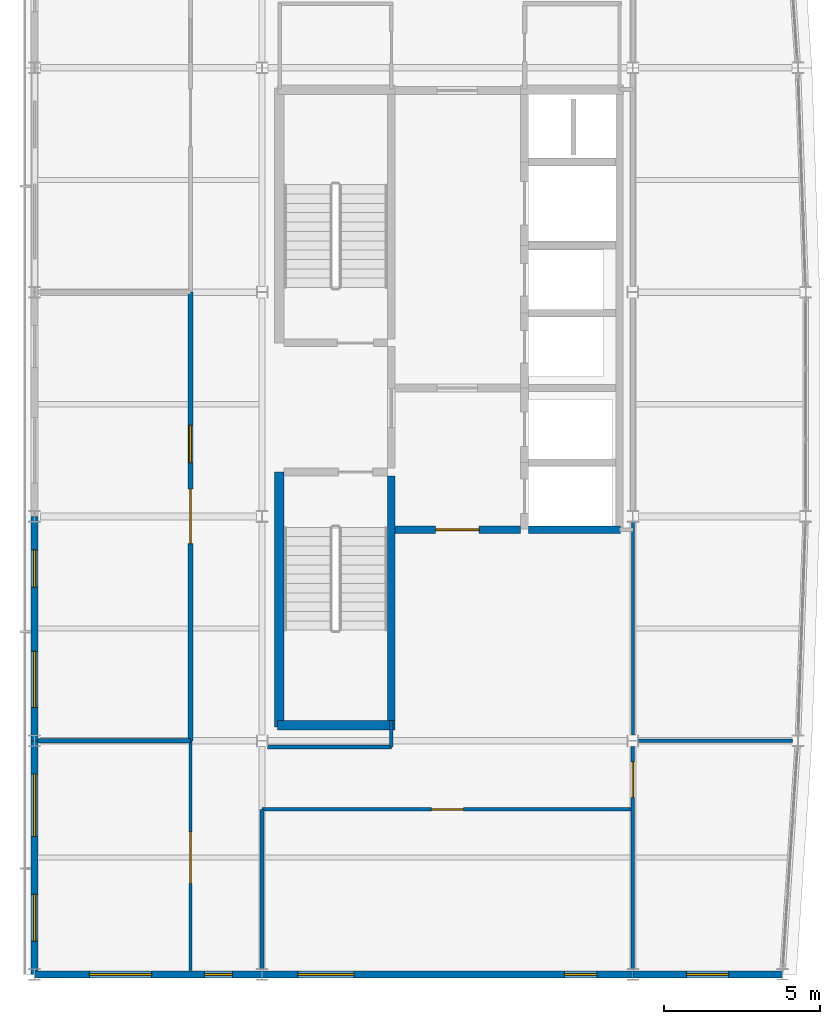
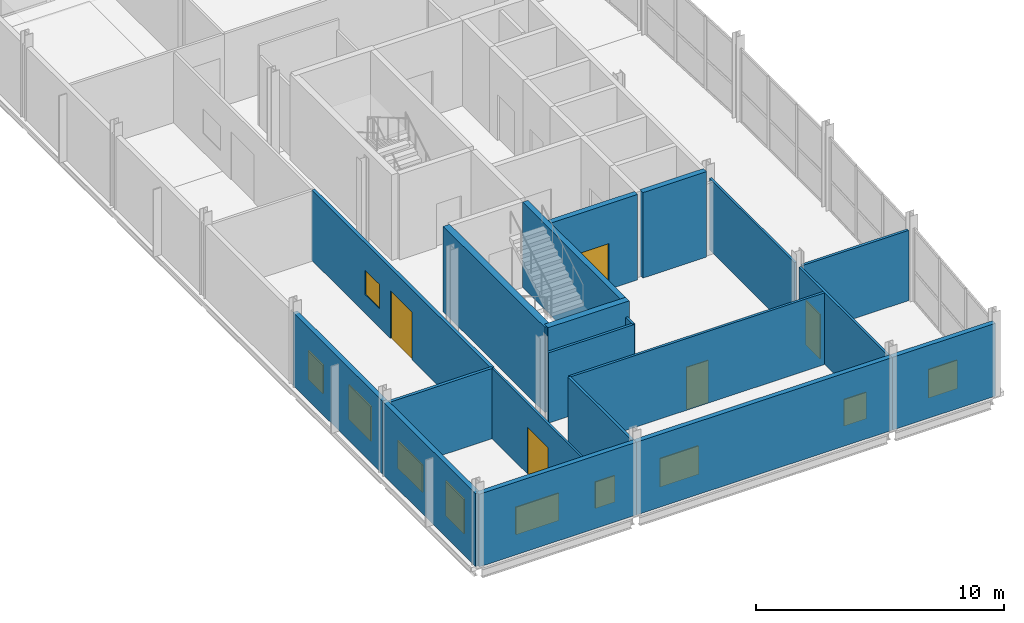
# One storey, part 11 of 17: 20 walls, 10 windows, 5 doors, 15 openings.
"""IFC4 building model written with IfcOpenShell, lengths in metres."""

from ifc_helpers import new_model, si_unit, direction, frame, frame_2d, origin, place, context, subcontext, project, spatial, rectangle, extrude, material, layer, layer_set, type_object, element, fill, save


model = new_model("IFC4")

# Units and contexts
model_context = context("Model", 3, precision=1e-05, world=origin(), true_north=direction((0.0, 1.0)))
body_context = subcontext(model_context, "Body", "Model", "MODEL_VIEW")
ifc_project = project(units=[si_unit("LENGTHUNIT", "METRE"), si_unit("AREAUNIT", "SQUARE_METRE"), si_unit("VOLUMEUNIT", "CUBIC_METRE"), si_unit("PLANEANGLEUNIT", "RADIAN"), si_unit("MASSUNIT", "GRAM", prefix="KILO")], contexts=[model_context])

# Site, building, storey
site_placement = place(None, origin())
site = spatial("IfcSite", under=ifc_project, at=site_placement, CompositionType="ELEMENT")
building_placement = place(site_placement, origin())
building = spatial("IfcBuilding", under=site, at=building_placement, Name="Quillay Park Conservatory", CompositionType="ELEMENT")
storey_placement = place(building_placement, frame((0.0, 0.0, 51.89990234375)))
storey = spatial("IfcBuildingStorey", under=building, at=storey_placement, Name="L12", CompositionType="ELEMENT", Elevation=51.89990234375)

# Wall, opening, door
ifc_material_1 = material(Name="Steel-Stud Acoustic Gypsum Board Partition", Category="steel")
ifc_layer_1 = layer(ifc_material_1, 0.10009765625)
ifc_layer_set_1 = layer_set([ifc_layer_1], Name="ACOUSTIC GYPSUM PARTITION 100 (Steel-Stud Acoustic Gypsum Board Partition)")
wall_type_1 = type_object("IfcWallType", Name="ACOUSTIC GYPSUM PARTITION 100", PredefinedType="PARTITIONING", material=ifc_layer_set_1)
wall_1_placement = place(storey_placement, frame((5.550048828125, 70.625, 0.0), z_axis=(0.0, 0.0, 1.0), x_axis=(0.0, 1.0, 0.0)))
wall_1 = element("IfcWall", 1, at=wall_1_placement, inside=storey, type_object=wall_type_1, Name="L12 L12 Senior Botanical Curatorial Workspace Corridor Wall", PredefinedType="PARTITIONING", context=body_context, shape_type="SweptSolid", body=[
    extrude(rectangle(XDim=7.375, YDim=0.10009765625, at=frame_2d((3.6875, 0.0))), origin(), (0.0, 0.0, 1.0), 3.451171875),
])
opening_1_placement = place(wall_1_placement, frame((2.800048828125, 0.0, 0.0)))
opening_1 = element("IfcOpeningElement", 2, at=opening_1_placement, cuts=wall_1, Name="Opening D-RM27", PredefinedType="OPENING", context=body_context, shape_type="SweptSolid", body=[
    extrude(rectangle(XDim=1.64990234375, YDim=2.300048828125, at=frame_2d((0.824951171875, 1.14990234375))), frame((0.0, 0.050048828125, 0.0), z_axis=(0.0, -1.0, 0.0), x_axis=(1.0, 0.0, 0.0)), (0.0, 0.0, 1.0), 0.10009765625),
])
ifc_material_2 = material(Name="Thermally Broken Anodised Aluminium 6063-T6", Category="aluminium")
door_type_1 = type_object("IfcDoorType", Name="SINGLE SWING DOOR 1650 X2300", OperationType="NOTDEFINED", PredefinedType="DOOR", material=ifc_material_2)
door_1_placement = place(opening_1_placement, origin())
door_1 = element("IfcDoor", 3, at=door_1_placement, inside=storey, type_object=door_type_1, Name="L12 Door to L12 Senior Botanical Curatorial Workspace", OperationType="SINGLE_SWING_LEFT", OverallHeight=2.300048828125, OverallWidth=1.64990234375, PredefinedType="DOOR", context=body_context, shape_type="SweptSolid", body=[
    extrude(rectangle(XDim=1.64990234375, YDim=2.300048828125, at=frame_2d((0.824951171875, 1.14990234375))), frame((0.0, 0.02490234375, 0.0), z_axis=(0.0, -1.0, 0.0), x_axis=(1.0, 0.0, 0.0)), (0.0, 0.0, 1.0), 0.050048828125),
])
fill(opening_1, door_1)

# Wall
wall_2_placement = place(storey_placement, frame((19.75, 78.179443359375, 0.0), z_axis=(0.0, 0.0, 1.0), x_axis=(0.0, 1.0, 0.0)))
element("IfcWall", 4, at=wall_2_placement, inside=storey, type_object=wall_type_1, Name="L12 L12 Remote Sensing Phenology Laboratory West Wall 1", PredefinedType="PARTITIONING", context=body_context, shape_type="SweptSolid", body=[
    extrude(rectangle(XDim=6.84765625, YDim=0.10009765625, at=frame_2d((3.423828125, 0.0))), origin(), (0.0, 0.0, 1.0), 3.527099609375),
])

# Wall, opening, door
ifc_material_3 = material(Name="Steel-Stud Acoustic Gypsum Board Partition", Category="steel")
ifc_layer_2 = layer(ifc_material_3, 0.110107421875)
ifc_layer_set_2 = layer_set([ifc_layer_2], Name="ACOUSTIC GYPSUM PARTITION 110 (Steel-Stud Acoustic Gypsum Board Partition)")
wall_type_2 = type_object("IfcWallType", Name="ACOUSTIC GYPSUM PARTITION 110", PredefinedType="PARTITIONING", material=ifc_layer_set_2)
wall_3_placement = place(storey_placement, frame((19.75, 70.673095703125, 0.0), z_axis=(0.0, 0.0, 1.0), x_axis=(0.0, 1.0, 0.0)))
wall_3 = element("IfcWall", 5, at=wall_3_placement, inside=storey, type_object=wall_type_2, Name="L12 L12 Island Endemism Conservation Studio West Door Wall", PredefinedType="PARTITIONING", context=body_context, shape_type="SweptSolid", body=[
    extrude(rectangle(XDim=7.1474609375, YDim=0.110107421875, at=frame_2d((3.57373046875, 0.0))), origin(), (0.0, 0.0, 1.0), 3.527099609375),
])
opening_2_placement = place(wall_3_placement, frame((5.507080078125, 0.0, 0.0)))
opening_2 = element("IfcOpeningElement", 6, at=opening_2_placement, cuts=wall_3, Name="Opening D-RM34", PredefinedType="OPENING", context=body_context, shape_type="SweptSolid", body=[
    extrude(rectangle(XDim=1.139892578125, YDim=2.179931640625, at=frame_2d((0.56982421875, 1.08984375))), frame((0.0, 0.05517578125, 0.0), z_axis=(0.0, -1.0, 0.0), x_axis=(1.0, 0.0, 0.0)), (0.0, 0.0, 1.0), 0.110107421875),
])
ifc_material_4 = material(Name="Thermally Broken Anodised Aluminium 6063-T6", Category="aluminium")
door_type_2 = type_object("IfcDoorType", Name="SINGLE SWING DOOR 1140 X2180", OperationType="NOTDEFINED", PredefinedType="DOOR", material=ifc_material_4)
door_2_placement = place(opening_2_placement, origin())
door_2 = element("IfcDoor", 7, at=door_2_placement, inside=storey, type_object=door_type_2, Name="L12 Door to L12 Island Endemism Conservation Studio", OperationType="SINGLE_SWING_RIGHT", OverallHeight=2.179931640625, OverallWidth=1.139892578125, PredefinedType="DOOR", context=body_context, shape_type="SweptSolid", body=[
    extrude(rectangle(XDim=1.139892578125, YDim=2.179931640625, at=frame_2d((0.56982421875, 1.08984375))), frame((0.0, 0.02490234375, 0.0), z_axis=(0.0, -1.0, 0.0), x_axis=(1.0, 0.0, 0.0)), (0.0, 0.0, 1.0), 0.050048828125),
])
fill(opening_2, door_2)

# Wall
ifc_material_5 = material(Name="Steel-Stud Acoustic Gypsum Board Partition", Category="steel")
ifc_layer_3 = layer(ifc_material_5, 0.114990234375)
ifc_layer_set_3 = layer_set([ifc_layer_3], Name="ACOUSTIC GYPSUM PARTITION 115 (Steel-Stud Acoustic Gypsum Board Partition)")
wall_type_3 = type_object("IfcWallType", Name="ACOUSTIC GYPSUM PARTITION 115", PredefinedType="PARTITIONING", material=ifc_layer_set_3)
wall_4_placement = place(storey_placement, frame((12.0, 77.800048828125, 0.0), z_axis=(0.0, 0.0, 1.0), x_axis=(0.0, 1.0, 0.0)))
element("IfcWall", 8, at=wall_4_placement, inside=storey, type_object=wall_type_3, Name="L12 Core South Vestibule West Wall", PredefinedType="PARTITIONING", context=body_context, shape_type="SweptSolid", body=[
    extrude(rectangle(XDim=0.849853515625, YDim=0.114990234375, at=frame_2d((0.4248046875, 0.0))), origin(), (0.0, 0.0, 1.0), 3.451171875),
])

# Wall, opening, door
wall_5_placement = place(storey_placement, frame((7.85009765625, 75.800048828125, 0.0), z_axis=(0.0, 0.0, 1.0), x_axis=(1.0, 0.0, 0.0)))
wall_5 = element("IfcWall", 9, at=wall_5_placement, inside=storey, type_object=wall_type_3, Name="L12 L12 Red-List Biodiversity Assessment Studio North Door Wall", PredefinedType="PARTITIONING", context=body_context, shape_type="SweptSolid", body=[
    extrude(rectangle(XDim=11.89990234375, YDim=0.114990234375, at=frame_2d((5.949951171875, 0.0))), origin(), (0.0, 0.0, 1.0), 3.527099609375),
])
opening_3_placement = place(wall_5_placement, frame((5.43994140625, 0.0, 0.0)))
opening_3 = element("IfcOpeningElement", 10, at=opening_3_placement, cuts=wall_5, Name="Opening D-RM33", PredefinedType="OPENING", context=body_context, shape_type="SweptSolid", body=[
    extrude(rectangle(XDim=1.02001953125, YDim=2.080078125, at=frame_2d((0.510009765625, 1.0400390625))), frame((0.0, 0.0576171875, 0.0), z_axis=(0.0, -1.0, 0.0), x_axis=(1.0, 0.0, 0.0)), (0.0, 0.0, 1.0), 0.114990234375),
])
ifc_material_6 = material(Name="Thermally Broken Anodised Aluminium 6063-T6", Category="aluminium")
door_type_3 = type_object("IfcDoorType", Name="SINGLE SWING DOOR 1020 X2080", OperationType="NOTDEFINED", PredefinedType="DOOR", material=ifc_material_6)
door_3_placement = place(opening_3_placement, origin())
door_3 = element("IfcDoor", 11, at=door_3_placement, inside=storey, type_object=door_type_3, Name="L12 Door to L12 Red-List Biodiversity Assessment Studio", OperationType="SINGLE_SWING_LEFT", OverallHeight=2.080078125, OverallWidth=1.02001953125, PredefinedType="DOOR", context=body_context, shape_type="SweptSolid", body=[
    extrude(rectangle(XDim=1.02001953125, YDim=2.080078125, at=frame_2d((0.510009765625, 1.0400390625))), frame((0.0, 0.02490234375, 0.0), z_axis=(0.0, -1.0, 0.0), x_axis=(1.0, 0.0, 0.0)), (0.0, 0.0, 1.0), 0.050048828125),
])
fill(opening_3, door_3)

# Walls
ifc_material_7 = material(Name="Steel-Stud Acoustic Gypsum Board Partition", Category="steel")
ifc_layer_4 = layer(ifc_material_7, 0.1201171875)
ifc_layer_set_4 = layer_set([ifc_layer_4], Name="ACOUSTIC GYPSUM PARTITION 120 (Steel-Stud Acoustic Gypsum Board Partition)")
wall_type_4 = type_object("IfcWallType", Name="ACOUSTIC GYPSUM PARTITION 120", PredefinedType="PARTITIONING", material=ifc_layer_set_4)
wall_6_placement = place(storey_placement, frame((8.02294921875, 77.800048828125, 0.0), z_axis=(0.0, 0.0, 1.0), x_axis=(1.0, 0.0, 0.0)))
element("IfcWall", 12, at=wall_6_placement, inside=storey, type_object=wall_type_4, Name="L12 Core South-West Return", PredefinedType="PARTITIONING", context=body_context, shape_type="SweptSolid", body=[
    extrude(rectangle(XDim=3.97705078125, YDim=0.1201171875, at=frame_2d((1.988525390625, 0.0))), origin(), (0.0, 0.0, 1.0), 3.451171875),
])
wall_7_placement = place(storey_placement, frame((7.85009765625, 70.673095703125, 0.0), z_axis=(0.0, 0.0, 1.0), x_axis=(0.0, 1.0, 0.0)))
element("IfcWall", 13, at=wall_7_placement, inside=storey, type_object=wall_type_4, Name="L12 South-Central West Wall", PredefinedType="PARTITIONING", context=body_context, shape_type="SweptSolid", body=[
    extrude(rectangle(XDim=5.126953125, YDim=0.1201171875, at=frame_2d((2.5634765625, 0.0))), origin(), (0.0, 0.0, 1.0), 3.527099609375),
])
ifc_material_8 = material(Name="Steel-Stud Acoustic Gypsum Board Partition", Category="steel")
ifc_layer_5 = layer(ifc_material_8, 0.125)
ifc_layer_set_5 = layer_set([ifc_layer_5], Name="ACOUSTIC GYPSUM PARTITION 125 (Steel-Stud Acoustic Gypsum Board Partition)")
wall_type_5 = type_object("IfcWallType", Name="ACOUSTIC GYPSUM PARTITION 125", PredefinedType="PARTITIONING", material=ifc_layer_set_5)
wall_8_placement = place(storey_placement, frame((24.87060546875, 78.0, 0.0), z_axis=(0.0, 0.0, 1.0), x_axis=(-1.0, 0.0, 0.0)))
element("IfcWall", 14, at=wall_8_placement, inside=storey, type_object=wall_type_5, Name="L12 East Strip South Wall", PredefinedType="PARTITIONING", context=body_context, shape_type="SweptSolid", body=[
    extrude(rectangle(XDim=4.947509765625, YDim=0.125, at=frame_2d((2.4736328125, 0.0))), origin(), (0.0, 0.0, 1.0), 3.451171875),
])
ifc_material_9 = material(Name="Steel-Stud Acoustic Gypsum Board Partition", Category="steel")
ifc_layer_6 = layer(ifc_material_9, 0.139892578125)
ifc_layer_set_6 = layer_set([ifc_layer_6], Name="ACOUSTIC GYPSUM PARTITION 140 (Steel-Stud Acoustic Gypsum Board Partition)")
wall_type_6 = type_object("IfcWallType", Name="ACOUSTIC GYPSUM PARTITION 140", PredefinedType="PARTITIONING", material=ifc_layer_set_6)
wall_9_placement = place(storey_placement, frame((0.64990234375, 78.0, 0.0), z_axis=(0.0, 0.0, 1.0), x_axis=(1.0, 0.0, 0.0)))
element("IfcWall", 15, at=wall_9_placement, inside=storey, type_object=wall_type_6, Name="L12 West Divider 78", PredefinedType="PARTITIONING", context=body_context, shape_type="SweptSolid", body=[
    extrude(rectangle(XDim=4.900146484375, YDim=0.139892578125, at=frame_2d((2.4501953125, 0.0))), origin(), (0.0, 0.0, 1.0), 3.451171875),
])

# Wall, openings, window, door
ifc_material_10 = material(Name="Steel-Stud Acoustic Gypsum Board Partition", Category="steel")
ifc_layer_7 = layer(ifc_material_10, 0.14990234375)
ifc_layer_set_7 = layer_set([ifc_layer_7], Name="ACOUSTIC GYPSUM PARTITION 150 (Steel-Stud Acoustic Gypsum Board Partition)")
wall_type_7 = type_object("IfcWallType", Name="ACOUSTIC GYPSUM PARTITION 150", PredefinedType="PARTITIONING", material=ifc_layer_set_7)
wall_10_placement = place(storey_placement, frame((5.550048828125, 78.0, 0.0), z_axis=(0.0, 0.0, 1.0), x_axis=(0.0, 1.0, 0.0)))
wall_10 = element("IfcWall", 16, at=wall_10_placement, inside=storey, type_object=wall_type_7, Name="L12 L12 Flora of Chile Editorial and Taxonomy Suite Corridor Wall", PredefinedType="PARTITIONING", context=body_context, shape_type="SweptSolid", body=[
    extrude(rectangle(XDim=14.39990234375, YDim=0.14990234375, at=frame_2d((7.199951171875, 0.0))), origin(), (0.0, 0.0, 1.0), 3.451171875),
])
opening_4_placement = place(wall_10_placement, frame((6.324951171875, 0.0, 0.0)))
opening_4 = element("IfcOpeningElement", 17, at=opening_4_placement, cuts=wall_10, Name="Opening D-RM28", PredefinedType="OPENING", context=body_context, shape_type="SweptSolid", body=[
    extrude(rectangle(XDim=1.75, YDim=2.35009765625, at=frame_2d((0.875, 1.175048828125))), frame((0.0, 0.074951171875, 0.0), z_axis=(0.0, -1.0, 0.0), x_axis=(1.0, 0.0, 0.0)), (0.0, 0.0, 1.0), 0.14990234375),
])
opening_5_placement = place(wall_10_placement, frame((8.925048828125, 0.0, 0.919921875)))
opening_5 = element("IfcOpeningElement", 18, at=opening_5_placement, cuts=wall_10, Name="Opening W-IN07", PredefinedType="OPENING", context=body_context, shape_type="SweptSolid", body=[
    extrude(rectangle(XDim=1.199951171875, YDim=1.199951171875, at=frame_2d((0.60009765625, 0.60009765625))), frame((0.0, 0.074951171875, 0.0), z_axis=(0.0, -1.0, 0.0), x_axis=(1.0, 0.0, 0.0)), (0.0, 0.0, 1.0), 0.14990234375),
])
ifc_material_11 = material(Name="Low-E Double Glazing (Laminated Tempered)", Category="glass")
window_type_1 = type_object("IfcWindowType", Name="OPERABLE VENT WINDOW 1200 X1200", PartitioningType="SINGLE_PANEL", PredefinedType="WINDOW", material=ifc_material_11)
window_1_placement = place(opening_5_placement, origin())
window_1 = element("IfcWindow", 19, at=window_1_placement, inside=storey, type_object=window_type_1, Name="L12 Laboratory Vision Panel 043", OverallHeight=1.199951171875, OverallWidth=1.199951171875, PartitioningType="SINGLE_PANEL", PredefinedType="WINDOW", context=body_context, shape_type="SweptSolid", body=[
    extrude(rectangle(XDim=1.199951171875, YDim=1.199951171875, at=frame_2d((0.60009765625, 0.60009765625))), frame((0.0, 0.030029296875, 0.0), z_axis=(0.0, -1.0, 0.0), x_axis=(1.0, 0.0, 0.0)), (0.0, 0.0, 1.0), 0.06005859375),
])
fill(opening_5, window_1)
ifc_material_12 = material(Name="Thermally Broken Anodised Aluminium 6063-T6", Category="aluminium")
door_type_4 = type_object("IfcDoorType", Name="SINGLE SWING DOOR 1750 X2350", OperationType="NOTDEFINED", PredefinedType="DOOR", material=ifc_material_12)
door_4_placement = place(opening_4_placement, origin())
door_4 = element("IfcDoor", 20, at=door_4_placement, inside=storey, type_object=door_type_4, Name="L12 Door to L12 Flora of Chile Editorial and Taxonomy Suite", OperationType="SINGLE_SWING_RIGHT", OverallHeight=2.35009765625, OverallWidth=1.75, PredefinedType="DOOR", context=body_context, shape_type="SweptSolid", body=[
    extrude(rectangle(XDim=1.75, YDim=2.35009765625, at=frame_2d((0.875, 1.175048828125))), frame((0.0, 0.02490234375, 0.0), z_axis=(0.0, -1.0, 0.0), x_axis=(1.0, 0.0, 0.0)), (0.0, 0.0, 1.0), 0.050048828125),
])
fill(opening_4, door_4)

# Wall
ifc_material_13 = material(Name="Concrete C40/50 (NCh170 Concrete C40/50)", Category="concrete")
ifc_layer_8 = layer(ifc_material_13, 0.25)
ifc_layer_set_8 = layer_set([ifc_layer_8], Name="CORE SHEAR WALL 250 (Concrete C40/50 (NCh170 Concrete C40/50))")
wall_type_8 = type_object("IfcWallType", Name="CORE SHEAR WALL 250", PredefinedType="SHEAR", material=ifc_layer_set_8)
wall_11_placement = place(storey_placement, frame((11.9951171875, 78.64990234375, 0.0), z_axis=(0.0, 0.0, 1.0), x_axis=(0.0, 1.0, 0.0)))
element("IfcWall", 21, at=wall_11_placement, inside=storey, type_object=wall_type_8, Name="L12 Core Shear Wall WL-T2E-L12", PredefinedType="SHEAR", context=body_context, shape_type="SweptSolid", body=[
    extrude(rectangle(XDim=7.85009765625, YDim=0.25, at=frame_2d((3.925048828125, 0.0))), origin(), (0.0, 0.0, 1.0), 4.2001953125),
])

# Wall, opening, door
wall_12_placement = place(storey_placement, frame((12.1201171875, 84.77490234375, 0.0), z_axis=(0.0, 0.0, 1.0), x_axis=(1.0, 0.0, 0.0)))
wall_12 = element("IfcWall", 22, at=wall_12_placement, inside=storey, type_object=wall_type_8, Name="L12 Core Shear Wall WL-FFS-L12", PredefinedType="SHEAR", context=body_context, shape_type="SweptSolid", body=[
    extrude(rectangle(XDim=4.02978515625, YDim=0.25, at=frame_2d((2.014892578125, 0.0))), origin(), (0.0, 0.0, 1.0), 4.2001953125),
])
opening_6_placement = place(wall_12_placement, frame((1.300048828125, 0.0, 0.0)))
opening_6 = element("IfcOpeningElement", 23, at=opening_6_placement, cuts=wall_12, Name="Opening D-LB03", PredefinedType="OPENING", context=body_context, shape_type="SweptSolid", body=[
    extrude(rectangle(XDim=1.39990234375, YDim=2.25, at=frame_2d((0.699951171875, 1.125))), frame((0.0, 0.125, 0.0), z_axis=(0.0, -1.0, 0.0), x_axis=(1.0, 0.0, 0.0)), (0.0, 0.0, 1.0), 0.25),
])
ifc_material_14 = material(Name="Steel ASTM A572 Grade 50", Category="steel")
door_type_5 = type_object("IfcDoorType", Name="FIRE RATED LOBBY DOOR 1400 X2250", OperationType="NOTDEFINED", PredefinedType="DOOR", material=ifc_material_14)
door_5_placement = place(opening_6_placement, origin())
door_5 = element("IfcDoor", 24, at=door_5_placement, inside=storey, type_object=door_type_5, Name="L12 South Core Lobby Door", OperationType="SINGLE_SWING_RIGHT", OverallHeight=2.25, OverallWidth=1.39990234375, PredefinedType="DOOR", context=body_context, shape_type="SweptSolid", body=[
    extrude(rectangle(XDim=1.39990234375, YDim=2.25, at=frame_2d((0.699951171875, 1.125))), frame((0.0, 0.02490234375, 0.0), z_axis=(0.0, -1.0, 0.0), x_axis=(1.0, 0.0, 0.0)), (0.0, 0.0, 1.0), 0.050048828125),
])
fill(opening_6, door_5)

# Walls
wall_13_placement = place(storey_placement, frame((16.39990234375, 84.77490234375, 0.0), z_axis=(0.0, 0.0, 1.0), x_axis=(1.0, 0.0, 0.0)))
element("IfcWall", 25, at=wall_13_placement, inside=storey, type_object=wall_type_8, Name="L12 Core Shear Wall WL-LFSO-L12", PredefinedType="SHEAR", context=body_context, shape_type="SweptSolid", body=[
    extrude(rectangle(XDim=2.9501953125, YDim=0.25, at=frame_2d((1.47509765625, 0.0))), origin(), (0.0, 0.0, 1.0), 4.2001953125),
])
ifc_material_15 = material(Name="Concrete C40/50 (NCh170 Concrete C40/50)", Category="concrete")
ifc_layer_9 = layer(ifc_material_15, 0.300048828125)
ifc_layer_set_9 = layer_set([ifc_layer_9], Name="CORE SHEAR WALL 300 (Concrete C40/50 (NCh170 Concrete C40/50))")
wall_type_9 = type_object("IfcWallType", Name="CORE SHEAR WALL 300", PredefinedType="SHEAR", material=ifc_layer_set_9)
wall_14_placement = place(storey_placement, frame((8.39990234375, 78.449951171875, 0.0), z_axis=(0.0, 0.0, 1.0), x_axis=(0.0, 1.0, 0.0)))
element("IfcWall", 26, at=wall_14_placement, inside=storey, type_object=wall_type_9, Name="L12 Core Shear Wall WL-TCW-S-L12", PredefinedType="SHEAR", context=body_context, shape_type="SweptSolid", body=[
    extrude(rectangle(XDim=8.175048828125, YDim=0.300048828125, at=frame_2d((4.08740234375, 0.0))), origin(), (0.0, 0.0, 1.0), 4.2001953125),
])
wall_15_placement = place(storey_placement, frame((8.35009765625, 78.5, 0.0), z_axis=(0.0, 0.0, 1.0), x_axis=(1.0, 0.0, 0.0)))
element("IfcWall", 27, at=wall_15_placement, inside=storey, type_object=wall_type_9, Name="L12 Core Shear Wall WL-TCS-L12", PredefinedType="SHEAR", context=body_context, shape_type="SweptSolid", body=[
    extrude(rectangle(XDim=3.77001953125, YDim=0.300048828125, at=frame_2d((1.885009765625, 0.0))), origin(), (0.0, 0.0, 1.0), 4.2001953125),
])

# Wall, openings, windows
ifc_material_16 = material(Name="Glass-Fibre Reinforced Concrete (GRC) Cladding", Category="concrete")
ifc_layer_10 = layer(ifc_material_16, 0.219970703125)
ifc_layer_set_10 = layer_set([ifc_layer_10], Name="EXTERIOR SOLID WALL 220 (Glass-Fibre Reinforced Concrete (GRC) Cladding)")
wall_type_10 = type_object("IfcWallType", Name="EXTERIOR SOLID WALL 220", PredefinedType="SOLIDWALL", material=ifc_layer_set_10)
wall_16_placement = place(storey_placement, frame((0.550048828125, 70.5, 0.0), z_axis=(0.0, 0.0, 1.0), x_axis=(0.0, 1.0, 0.0)))
wall_16 = element("IfcWall", 28, at=wall_16_placement, inside=storey, type_object=wall_type_10, Name="L12 External Wall WL-EXT-V4W-L12-0", PredefinedType="SOLIDWALL", context=body_context, shape_type="SweptSolid", body=[
    extrude(rectangle(XDim=7.5, YDim=0.219970703125, at=frame_2d((3.75, 0.0))), origin(), (0.0, 0.0, 1.0), 3.5771484375),
])
opening_7_placement = place(wall_16_placement, frame((1.070068359375, 0.0, 0.919921875)))
opening_7 = element("IfcOpeningElement", 29, at=opening_7_placement, cuts=wall_16, Name="Opening W-13", PredefinedType="OPENING", context=body_context, shape_type="SweptSolid", body=[
    extrude(rectangle(XDim=1.5, YDim=1.699951171875, at=frame_2d((0.75, 0.85009765625))), frame((0.0, 0.10986328125, 0.0), z_axis=(0.0, -1.0, 0.0), x_axis=(1.0, 0.0, 0.0)), (0.0, 0.0, 1.0), 0.219970703125),
])
opening_8_placement = place(wall_16_placement, frame((4.429931640625, 0.0, 0.919921875)))
opening_8 = element("IfcOpeningElement", 30, at=opening_8_placement, cuts=wall_16, Name="Opening W-20", PredefinedType="OPENING", context=body_context, shape_type="SweptSolid", body=[
    extrude(rectangle(XDim=2.0, YDim=1.35009765625, at=frame_2d((1.0, 0.675048828125))), frame((0.0, 0.10986328125, 0.0), z_axis=(0.0, -1.0, 0.0), x_axis=(1.0, 0.0, 0.0)), (0.0, 0.0, 1.0), 0.219970703125),
])
ifc_material_17 = material(Name="Low-E Double Glazing (Laminated Tempered)", Category="glass")
window_type_2 = type_object("IfcWindowType", Name="FIXED CASEMENT WINDOW 1500 X1700", PartitioningType="SINGLE_PANEL", PredefinedType="WINDOW", material=ifc_material_17)
window_2_placement = place(opening_7_placement, origin())
window_2 = element("IfcWindow", 31, at=window_2_placement, inside=storey, type_object=window_type_2, Name="L12 Exterior Window 0270", OverallHeight=1.699951171875, OverallWidth=1.5, PartitioningType="SINGLE_PANEL", PredefinedType="WINDOW", context=body_context, shape_type="SweptSolid", body=[
    extrude(rectangle(XDim=1.5, YDim=1.699951171875, at=frame_2d((0.75, 0.85009765625))), frame((0.0, 0.030029296875, 0.0), z_axis=(0.0, -1.0, 0.0), x_axis=(1.0, 0.0, 0.0)), (0.0, 0.0, 1.0), 0.06005859375),
])
fill(opening_7, window_2)
ifc_material_18 = material(Name="Low-E Double Glazing (Laminated Tempered)", Category="glass")
window_type_3 = type_object("IfcWindowType", Name="FIXED CASEMENT WINDOW 2000 X1350", PartitioningType="DOUBLE_PANEL_VERTICAL", PredefinedType="WINDOW", material=ifc_material_18)
window_3_placement = place(opening_8_placement, origin())
window_3 = element("IfcWindow", 32, at=window_3_placement, inside=storey, type_object=window_type_3, Name="L12 Exterior Window 0271", OverallHeight=1.35009765625, OverallWidth=2.0, PartitioningType="DOUBLE_PANEL_VERTICAL", PredefinedType="WINDOW", context=body_context, shape_type="SweptSolid", body=[
    extrude(rectangle(XDim=2.0, YDim=1.35009765625, at=frame_2d((1.0, 0.675048828125))), frame((0.0, 0.030029296875, 0.0), z_axis=(0.0, -1.0, 0.0), x_axis=(1.0, 0.0, 0.0)), (0.0, 0.0, 1.0), 0.06005859375),
])
fill(opening_8, window_3)

wall_17_placement = place(storey_placement, frame((0.550048828125, 78.0, 0.0), z_axis=(0.0, 0.0, 1.0), x_axis=(0.0, 1.0, 0.0)))
wall_17 = element("IfcWall", 33, at=wall_17_placement, inside=storey, type_object=wall_type_10, Name="L12 External Wall WL-EXT-V4W-L12-1", PredefinedType="SOLIDWALL", context=body_context, shape_type="SweptSolid", body=[
    extrude(rectangle(XDim=7.199951171875, YDim=0.219970703125, at=frame_2d((3.60009765625, 0.0))), origin(), (0.0, 0.0, 1.0), 3.5771484375),
])
opening_9_placement = place(wall_17_placement, frame((1.070068359375, 0.0, 0.919921875)))
opening_9 = element("IfcOpeningElement", 34, at=opening_9_placement, cuts=wall_17, Name="Opening W-14", PredefinedType="OPENING", context=body_context, shape_type="SweptSolid", body=[
    extrude(rectangle(XDim=1.800048828125, YDim=1.699951171875, at=frame_2d((0.89990234375, 0.85009765625))), frame((0.0, 0.10986328125, 0.0), z_axis=(0.0, -1.0, 0.0), x_axis=(1.0, 0.0, 0.0)), (0.0, 0.0, 1.0), 0.219970703125),
])
opening_10_placement = place(wall_17_placement, frame((4.929931640625, 0.0, 0.919921875)))
opening_10 = element("IfcOpeningElement", 35, at=opening_10_placement, cuts=wall_17, Name="Opening W-01", PredefinedType="OPENING", context=body_context, shape_type="SweptSolid", body=[
    extrude(rectangle(XDim=1.199951171875, YDim=1.39990234375, at=frame_2d((0.60009765625, 0.699951171875))), frame((0.0, 0.10986328125, 0.0), z_axis=(0.0, -1.0, 0.0), x_axis=(1.0, 0.0, 0.0)), (0.0, 0.0, 1.0), 0.219970703125),
])
ifc_material_19 = material(Name="Low-E Double Glazing (Laminated Tempered)", Category="glass")
window_type_4 = type_object("IfcWindowType", Name="FIXED CASEMENT WINDOW 1200 X1400", PartitioningType="SINGLE_PANEL", PredefinedType="WINDOW", material=ifc_material_19)
window_4_placement = place(opening_10_placement, origin())
window_4 = element("IfcWindow", 36, at=window_4_placement, inside=storey, type_object=window_type_4, Name="L12 Exterior Window 0273", OverallHeight=1.39990234375, OverallWidth=1.199951171875, PartitioningType="SINGLE_PANEL", PredefinedType="WINDOW", context=body_context, shape_type="SweptSolid", body=[
    extrude(rectangle(XDim=1.199951171875, YDim=1.39990234375, at=frame_2d((0.60009765625, 0.699951171875))), frame((0.0, 0.030029296875, 0.0), z_axis=(0.0, -1.0, 0.0), x_axis=(1.0, 0.0, 0.0)), (0.0, 0.0, 1.0), 0.06005859375),
])
fill(opening_10, window_4)
ifc_material_20 = material(Name="Low-E Double Glazing (Laminated Tempered)", Category="glass")
window_type_5 = type_object("IfcWindowType", Name="FIXED CASEMENT WINDOW 1800 X1700", PartitioningType="DOUBLE_PANEL_VERTICAL", PredefinedType="WINDOW", material=ifc_material_20)
window_5_placement = place(opening_9_placement, origin())
window_5 = element("IfcWindow", 37, at=window_5_placement, inside=storey, type_object=window_type_5, Name="L12 Exterior Window 0272", OverallHeight=1.699951171875, OverallWidth=1.800048828125, PartitioningType="DOUBLE_PANEL_VERTICAL", PredefinedType="WINDOW", context=body_context, shape_type="SweptSolid", body=[
    extrude(rectangle(XDim=1.800048828125, YDim=1.699951171875, at=frame_2d((0.89990234375, 0.85009765625))), frame((0.0, 0.030029296875, 0.0), z_axis=(0.0, -1.0, 0.0), x_axis=(1.0, 0.0, 0.0)), (0.0, 0.0, 1.0), 0.06005859375),
])
fill(opening_9, window_5)

wall_18_placement = place(storey_placement, frame((7.85009765625, 70.5, 0.0), z_axis=(0.0, 0.0, 1.0), x_axis=(-1.0, 0.0, 0.0)))
wall_18 = element("IfcWall", 38, at=wall_18_placement, inside=storey, type_object=wall_type_10, Name="L12 External Wall WL-EXT-V4S1-L12", PredefinedType="SOLIDWALL", context=body_context, shape_type="SweptSolid", body=[
    extrude(rectangle(XDim=7.300048828125, YDim=0.219970703125, at=frame_2d((3.64990234375, 0.0))), origin(), (0.0, 0.0, 1.0), 3.5771484375),
])
opening_11_placement = place(wall_18_placement, frame((0.955078125, 0.0, 0.919921875)))
opening_11 = element("IfcOpeningElement", 39, at=opening_11_placement, cuts=wall_18, Name="Opening W-17", PredefinedType="OPENING", context=body_context, shape_type="SweptSolid", body=[
    extrude(rectangle(XDim=0.89990234375, YDim=1.300048828125, at=frame_2d((0.449951171875, 0.64990234375))), frame((0.0, 0.10986328125, 0.0), z_axis=(0.0, -1.0, 0.0), x_axis=(1.0, 0.0, 0.0)), (0.0, 0.0, 1.0), 0.219970703125),
])
opening_12_placement = place(wall_18_placement, frame((3.544921875, 0.0, 0.919921875)))
opening_12 = element("IfcOpeningElement", 40, at=opening_12_placement, cuts=wall_18, Name="Opening W-20", PredefinedType="OPENING", context=body_context, shape_type="SweptSolid", body=[
    extrude(rectangle(XDim=2.0, YDim=1.35009765625, at=frame_2d((1.0, 0.675048828125))), frame((0.0, 0.10986328125, 0.0), z_axis=(0.0, -1.0, 0.0), x_axis=(1.0, 0.0, 0.0)), (0.0, 0.0, 1.0), 0.219970703125),
])
window_6_placement = place(opening_12_placement, origin())
window_6 = element("IfcWindow", 41, at=window_6_placement, inside=storey, type_object=window_type_3, Name="L12 Exterior Window 0283", OverallHeight=1.35009765625, OverallWidth=2.0, PartitioningType="DOUBLE_PANEL_VERTICAL", PredefinedType="WINDOW", context=body_context, shape_type="SweptSolid", body=[
    extrude(rectangle(XDim=2.0, YDim=1.35009765625, at=frame_2d((1.0, 0.675048828125))), frame((0.0, 0.030029296875, 0.0), z_axis=(0.0, -1.0, 0.0), x_axis=(1.0, 0.0, 0.0)), (0.0, 0.0, 1.0), 0.06005859375),
])
fill(opening_12, window_6)
ifc_material_21 = material(Name="Low-E Double Glazing (Laminated Tempered)", Category="glass")
window_type_6 = type_object("IfcWindowType", Name="FIXED CASEMENT WINDOW 900 X1300", PartitioningType="SINGLE_PANEL", PredefinedType="WINDOW", material=ifc_material_21)
window_7_placement = place(opening_11_placement, origin())
window_7 = element("IfcWindow", 42, at=window_7_placement, inside=storey, type_object=window_type_6, Name="L12 Exterior Window 0282", OverallHeight=1.300048828125, OverallWidth=0.89990234375, PartitioningType="SINGLE_PANEL", PredefinedType="WINDOW", context=body_context, shape_type="SweptSolid", body=[
    extrude(rectangle(XDim=0.89990234375, YDim=1.300048828125, at=frame_2d((0.449951171875, 0.64990234375))), frame((0.0, 0.030029296875, 0.0), z_axis=(0.0, -1.0, 0.0), x_axis=(1.0, 0.0, 0.0)), (0.0, 0.0, 1.0), 0.06005859375),
])
fill(opening_11, window_7)

wall_19_placement = place(storey_placement, frame((19.75, 70.5, 0.0), z_axis=(0.0, 0.0, 1.0), x_axis=(-1.0, 0.0, 0.0)))
wall_19 = element("IfcWall", 43, at=wall_19_placement, inside=storey, type_object=wall_type_10, Name="L12 External Wall WL-EXT-V4S2-L12", PredefinedType="SOLIDWALL", context=body_context, shape_type="SweptSolid", body=[
    extrude(rectangle(XDim=11.89990234375, YDim=0.219970703125, at=frame_2d((5.949951171875, 0.0))), origin(), (0.0, 0.0, 1.0), 3.5771484375),
])
opening_13_placement = place(wall_19_placement, frame((1.14990234375, 0.0, 0.919921875)))
opening_13 = element("IfcOpeningElement", 44, at=opening_13_placement, cuts=wall_19, Name="Opening W-18", PredefinedType="OPENING", context=body_context, shape_type="SweptSolid", body=[
    extrude(rectangle(XDim=1.050048828125, YDim=1.300048828125, at=frame_2d((0.52490234375, 0.64990234375))), frame((0.0, 0.10986328125, 0.0), z_axis=(0.0, -1.0, 0.0), x_axis=(1.0, 0.0, 0.0)), (0.0, 0.0, 1.0), 0.219970703125),
])
opening_14_placement = place(wall_19_placement, frame((8.949951171875, 0.0, 0.919921875)))
opening_14 = element("IfcOpeningElement", 45, at=opening_14_placement, cuts=wall_19, Name="Opening W-05", PredefinedType="OPENING", context=body_context, shape_type="SweptSolid", body=[
    extrude(rectangle(XDim=1.800048828125, YDim=1.39990234375, at=frame_2d((0.89990234375, 0.699951171875))), frame((0.0, 0.10986328125, 0.0), z_axis=(0.0, -1.0, 0.0), x_axis=(1.0, 0.0, 0.0)), (0.0, 0.0, 1.0), 0.219970703125),
])
ifc_material_22 = material(Name="Low-E Double Glazing (Laminated Tempered)", Category="glass")
window_type_7 = type_object("IfcWindowType", Name="FIXED CASEMENT WINDOW 1050 X1300", PartitioningType="SINGLE_PANEL", PredefinedType="WINDOW", material=ifc_material_22)
window_8_placement = place(opening_13_placement, origin())
window_8 = element("IfcWindow", 46, at=window_8_placement, inside=storey, type_object=window_type_7, Name="L12 Exterior Window 0284", OverallHeight=1.300048828125, OverallWidth=1.050048828125, PartitioningType="SINGLE_PANEL", PredefinedType="WINDOW", context=body_context, shape_type="SweptSolid", body=[
    extrude(rectangle(XDim=1.050048828125, YDim=1.300048828125, at=frame_2d((0.52490234375, 0.64990234375))), frame((0.0, 0.030029296875, 0.0), z_axis=(0.0, -1.0, 0.0), x_axis=(1.0, 0.0, 0.0)), (0.0, 0.0, 1.0), 0.06005859375),
])
fill(opening_13, window_8)
ifc_material_23 = material(Name="Low-E Double Glazing (Laminated Tempered)", Category="glass")
window_type_8 = type_object("IfcWindowType", Name="FIXED CASEMENT WINDOW 1800 X1400", PartitioningType="DOUBLE_PANEL_VERTICAL", PredefinedType="WINDOW", material=ifc_material_23)
window_9_placement = place(opening_14_placement, origin())
window_9 = element("IfcWindow", 47, at=window_9_placement, inside=storey, type_object=window_type_8, Name="L12 Exterior Window 0285", OverallHeight=1.39990234375, OverallWidth=1.800048828125, PartitioningType="DOUBLE_PANEL_VERTICAL", PredefinedType="WINDOW", context=body_context, shape_type="SweptSolid", body=[
    extrude(rectangle(XDim=1.800048828125, YDim=1.39990234375, at=frame_2d((0.89990234375, 0.699951171875))), frame((0.0, 0.030029296875, 0.0), z_axis=(0.0, -1.0, 0.0), x_axis=(1.0, 0.0, 0.0)), (0.0, 0.0, 1.0), 0.06005859375),
])
fill(opening_14, window_9)

# Wall, opening, window
wall_20_placement = place(storey_placement, frame((24.550048828125, 70.5, 0.0), z_axis=(0.0, 0.0, 1.0), x_axis=(-1.0, 0.0, 0.0)))
wall_20 = element("IfcWall", 48, at=wall_20_placement, inside=storey, type_object=wall_type_10, Name="L12 External Wall WL-EXT-V4S3-L12", PredefinedType="SOLIDWALL", context=body_context, shape_type="SweptSolid", body=[
    extrude(rectangle(XDim=4.800048828125, YDim=0.219970703125, at=frame_2d((2.39990234375, 0.0))), origin(), (0.0, 0.0, 1.0), 3.5771484375),
])
opening_15_placement = place(wall_20_placement, frame((1.72509765625, 0.0, 0.919921875)))
opening_15 = element("IfcOpeningElement", 49, at=opening_15_placement, cuts=wall_20, Name="Opening W-02", PredefinedType="OPENING", context=body_context, shape_type="SweptSolid", body=[
    extrude(rectangle(XDim=1.35009765625, YDim=1.39990234375, at=frame_2d((0.675048828125, 0.699951171875))), frame((0.0, 0.10986328125, 0.0), z_axis=(0.0, -1.0, 0.0), x_axis=(1.0, 0.0, 0.0)), (0.0, 0.0, 1.0), 0.219970703125),
])
ifc_material_24 = material(Name="Low-E Double Glazing (Laminated Tempered)", Category="glass")
window_type_9 = type_object("IfcWindowType", Name="FIXED CASEMENT WINDOW 1350 X1400", PartitioningType="SINGLE_PANEL", PredefinedType="WINDOW", material=ifc_material_24)
window_10_placement = place(opening_15_placement, origin())
window_10 = element("IfcWindow", 50, at=window_10_placement, inside=storey, type_object=window_type_9, Name="L12 Exterior Window 0286", OverallHeight=1.39990234375, OverallWidth=1.35009765625, PartitioningType="SINGLE_PANEL", PredefinedType="WINDOW", context=body_context, shape_type="SweptSolid", body=[
    extrude(rectangle(XDim=1.35009765625, YDim=1.39990234375, at=frame_2d((0.675048828125, 0.699951171875))), frame((0.0, 0.030029296875, 0.0), z_axis=(0.0, -1.0, 0.0), x_axis=(1.0, 0.0, 0.0)), (0.0, 0.0, 1.0), 0.06005859375),
])
fill(opening_15, window_10)

save(model, "model.ifc")
